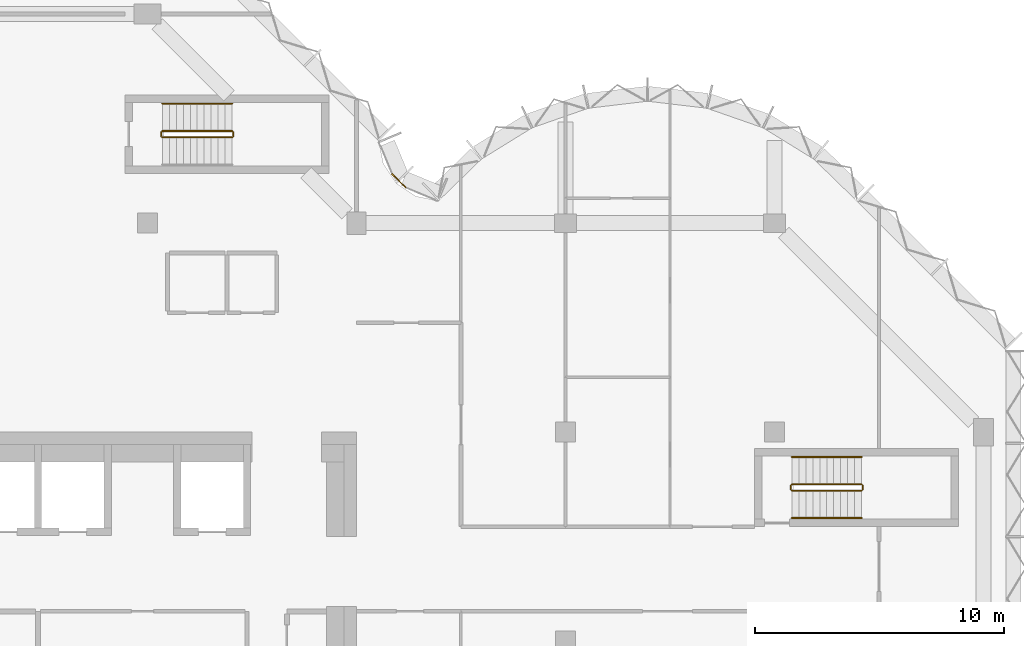
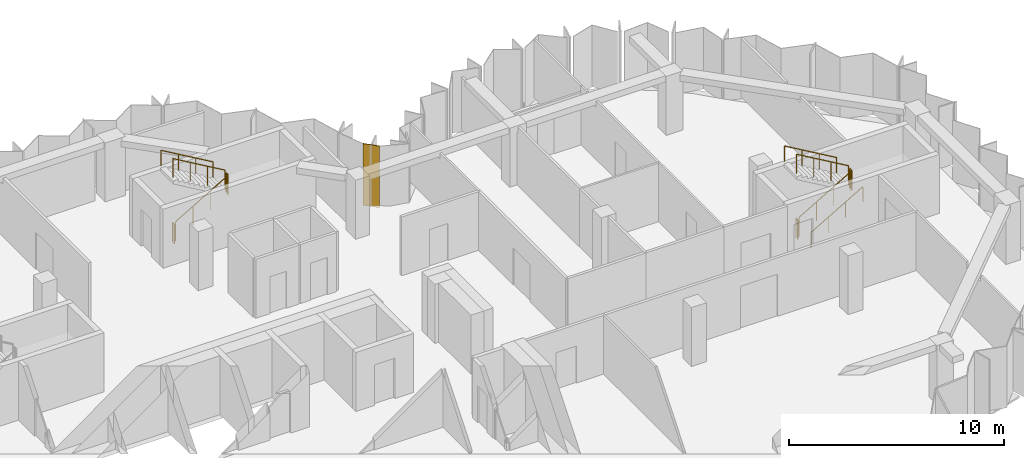
# One storey, part 9 of 9: 11 railings, 1 covering, 1 element without a shape of its own.
"""IFC4 building model written with IfcOpenShell, lengths in metres."""

from ifc_helpers import new_model, si_unit, direction, frame, origin, origin_2d, place, context, subcontext, project, spatial, polyline, circle, outline, extrude, material, layer, layer_set, type_object, element, aggregate, save


model = new_model("IFC4")

# Units and contexts
model_context = context("Model", 3, precision=1e-05, world=origin(), true_north=direction((0.0, 1.0)))
body_context = subcontext(model_context, "Body", "Model", "MODEL_VIEW")
ifc_project = project(units=[si_unit("LENGTHUNIT", "METRE"), si_unit("AREAUNIT", "SQUARE_METRE"), si_unit("VOLUMEUNIT", "CUBIC_METRE"), si_unit("PLANEANGLEUNIT", "RADIAN"), si_unit("MASSUNIT", "GRAM", prefix="KILO")], contexts=[model_context])

# Site, building, storey
site_placement = place(None, origin())
site = spatial("IfcSite", under=ifc_project, at=site_placement, CompositionType="ELEMENT")
building_placement = place(site_placement, origin())
building = spatial("IfcBuilding", under=site, at=building_placement, Name="Brevane Broadcast Tower", CompositionType="ELEMENT")
storey_placement = place(building_placement, frame((0.0, 0.0, 248.10009765625)))
storey = spatial("IfcBuildingStorey", under=building, at=storey_placement, Name="L63", CompositionType="ELEMENT", Elevation=248.10009765625)

# Railings
ifc_material_1 = material(Name="Steel S355", Category="steel")
railing_type_1 = type_object("IfcRailingType", Name="Exit stair guard", PredefinedType="GUARDRAIL", material=ifc_material_1)
railing_1_placement = place(storey_placement, frame((17.39990234375, 28.64990234375, 0.16357421875)))
element("IfcRailing", 1, at=railing_1_placement, inside=storey, type_object=railing_type_1, Name="L63 ST-3 stair guard 1", PredefinedType="GUARDRAIL", context=body_context, shape_type="SweptSolid", body=[
    extrude(circle(Radius=0.02392578125, at=origin_2d()), frame((0.0, 0.0, 1.076171875), z_axis=(0.863393664356, 0.0, 0.504530851732), x_axis=(0.0, 1.0, 0.0)), (0.0, 0.0, 1.0), 3.2431640625),
    extrude(circle(Radius=0.02099609375, at=origin_2d()), origin(), (0.0, 0.0, 1.0), 1.052001953125),
    extrude(circle(Radius=0.02099609375, at=origin_2d()), frame((0.933349609375, 0.0, 0.54541015625)), (0.0, 0.0, 1.0), 1.052001953125),
    extrude(circle(Radius=0.02099609375, at=origin_2d()), frame((1.86669921875, 0.0, 1.0908203125)), (0.0, 0.0, 1.0), 1.052001953125),
    extrude(circle(Radius=0.02099609375, at=origin_2d()), frame((2.800048828125, 0.0, 1.63623046875)), (0.0, 0.0, 1.0), 1.052001953125),
])
railing_2_placement = place(storey_placement, frame((20.25, 28.699951171875, 1.7998046875)))
element("IfcRailing", 2, at=railing_2_placement, inside=storey, type_object=railing_type_1, Name="L63 ST-3 stair guard 2", PredefinedType="GUARDRAIL", context=body_context, shape_type="SweptSolid", body=[
    extrude(circle(Radius=0.02392578125, at=origin_2d()), frame((0.0, 0.0, 1.076171875), z_axis=(0.0, 1.0, 0.0), x_axis=(-1.0, 0.0, 0.0)), (0.0, 0.0, 1.0), 0.150146484375),
    extrude(circle(Radius=0.02099609375, at=origin_2d()), origin(), (0.0, 0.0, 1.0), 1.052001953125),
    extrude(circle(Radius=0.02099609375, at=origin_2d()), frame((0.0, 0.150146484375, 0.0)), (0.0, 0.0, 1.0), 1.052001953125),
])
railing_3_placement = place(storey_placement, frame((20.199951171875, 28.89990234375, 1.963623046875)))
element("IfcRailing", 3, at=railing_3_placement, inside=storey, type_object=railing_type_1, Name="L63 ST-3 stair guard 3", PredefinedType="GUARDRAIL", context=body_context, shape_type="SweptSolid", body=[
    extrude(circle(Radius=0.02392578125, at=origin_2d()), frame((0.0, 0.0, 1.076171875), z_axis=(-0.863393664356, 0.0, 0.504530851732), x_axis=(0.0, -1.0, 0.0)), (0.0, 0.0, 1.0), 3.2431640625),
    extrude(circle(Radius=0.02099609375, at=origin_2d()), origin(), (0.0, 0.0, 1.0), 1.052001953125),
    extrude(circle(Radius=0.02099609375, at=origin_2d()), frame((-0.933349609375, 0.0, 0.54541015625)), (0.0, 0.0, 1.0), 1.052001953125),
    extrude(circle(Radius=0.02099609375, at=origin_2d()), frame((-1.86669921875, 0.0, 1.0908203125)), (0.0, 0.0, 1.0), 1.052001953125),
    extrude(circle(Radius=0.02099609375, at=origin_2d()), frame((-2.800048828125, 0.0, 1.63623046875)), (0.0, 0.0, 1.0), 1.052001953125),
])
railing_4_placement = place(storey_placement, frame((17.35009765625, 28.699951171875, 0.0)))
element("IfcRailing", 4, at=railing_4_placement, inside=storey, type_object=railing_type_1, Name="L63 ST-3 stair guard 4", PredefinedType="GUARDRAIL", context=body_context, shape_type="SweptSolid", body=[
    extrude(circle(Radius=0.02392578125, at=origin_2d()), frame((0.0, 0.0, 1.076171875), z_axis=(0.0, 1.0, 0.0), x_axis=(-1.0, 0.0, 0.0)), (0.0, 0.0, 1.0), 0.150146484375),
    extrude(circle(Radius=0.02099609375, at=origin_2d()), origin(), (0.0, 0.0, 1.0), 1.052001953125),
    extrude(circle(Radius=0.02099609375, at=origin_2d()), frame((0.0, 0.150146484375, 0.0)), (0.0, 0.0, 1.0), 1.052001953125),
])
railing_5_placement = place(storey_placement, frame((42.699951171875, 14.449951171875, 0.16357421875)))
element("IfcRailing", 5, at=railing_5_placement, inside=storey, type_object=railing_type_1, Name="L63 ST-4 stair guard 1", PredefinedType="GUARDRAIL", context=body_context, shape_type="SweptSolid", body=[
    extrude(circle(Radius=0.02392578125, at=origin_2d()), frame((0.0, 0.0, 1.076171875), z_axis=(0.863393664356, 0.0, 0.504530851732), x_axis=(0.0, 1.0, 0.0)), (0.0, 0.0, 1.0), 3.2431640625),
    extrude(circle(Radius=0.02099609375, at=origin_2d()), origin(), (0.0, 0.0, 1.0), 1.052001953125),
    extrude(circle(Radius=0.02099609375, at=origin_2d()), frame((0.933349609375, 0.0, 0.54541015625)), (0.0, 0.0, 1.0), 1.052001953125),
    extrude(circle(Radius=0.02099609375, at=origin_2d()), frame((1.86669921875, 0.0, 1.0908203125)), (0.0, 0.0, 1.0), 1.052001953125),
    extrude(circle(Radius=0.02099609375, at=origin_2d()), frame((2.800048828125, 0.0, 1.63623046875)), (0.0, 0.0, 1.0), 1.052001953125),
])
railing_6_placement = place(storey_placement, frame((45.550048828125, 14.5, 1.7998046875)))
element("IfcRailing", 6, at=railing_6_placement, inside=storey, type_object=railing_type_1, Name="L63 ST-4 stair guard 2", PredefinedType="GUARDRAIL", context=body_context, shape_type="SweptSolid", body=[
    extrude(circle(Radius=0.02392578125, at=origin_2d()), frame((0.0, 0.0, 1.076171875), z_axis=(0.0, 1.0, 0.0), x_axis=(-1.0, 0.0, 0.0)), (0.0, 0.0, 1.0), 0.14990234375),
    extrude(circle(Radius=0.02099609375, at=origin_2d()), origin(), (0.0, 0.0, 1.0), 1.052001953125),
    extrude(circle(Radius=0.02099609375, at=origin_2d()), frame((0.0, 0.14990234375, 0.0)), (0.0, 0.0, 1.0), 1.052001953125),
])
railing_7_placement = place(storey_placement, frame((45.5, 14.699951171875, 1.963623046875)))
element("IfcRailing", 7, at=railing_7_placement, inside=storey, type_object=railing_type_1, Name="L63 ST-4 stair guard 3", PredefinedType="GUARDRAIL", context=body_context, shape_type="SweptSolid", body=[
    extrude(circle(Radius=0.02392578125, at=origin_2d()), frame((0.0, 0.0, 1.076171875), z_axis=(-0.863393664356, 0.0, 0.504530851732), x_axis=(0.0, -1.0, 0.0)), (0.0, 0.0, 1.0), 3.2431640625),
    extrude(circle(Radius=0.02099609375, at=origin_2d()), origin(), (0.0, 0.0, 1.0), 1.052001953125),
    extrude(circle(Radius=0.02099609375, at=origin_2d()), frame((-0.933349609375, 0.0, 0.54541015625)), (0.0, 0.0, 1.0), 1.052001953125),
    extrude(circle(Radius=0.02099609375, at=origin_2d()), frame((-1.86669921875, 0.0, 1.0908203125)), (0.0, 0.0, 1.0), 1.052001953125),
    extrude(circle(Radius=0.02099609375, at=origin_2d()), frame((-2.800048828125, 0.0, 1.63623046875)), (0.0, 0.0, 1.0), 1.052001953125),
])
railing_8_placement = place(storey_placement, frame((42.64990234375, 14.5, 0.0)))
element("IfcRailing", 8, at=railing_8_placement, inside=storey, type_object=railing_type_1, Name="L63 ST-4 stair guard 4", PredefinedType="GUARDRAIL", context=body_context, shape_type="SweptSolid", body=[
    extrude(circle(Radius=0.02392578125, at=origin_2d()), frame((0.0, 0.0, 1.076171875), z_axis=(0.0, 1.0, 0.0), x_axis=(-1.0, 0.0, 0.0)), (0.0, 0.0, 1.0), 0.14990234375),
    extrude(circle(Radius=0.02099609375, at=origin_2d()), origin(), (0.0, 0.0, 1.0), 1.052001953125),
    extrude(circle(Radius=0.02099609375, at=origin_2d()), frame((0.0, 0.14990234375, 0.0)), (0.0, 0.0, 1.0), 1.052001953125),
])
railing_type_2 = type_object("IfcRailingType", Name="Exit stair handrail", PredefinedType="HANDRAIL", material=ifc_material_1)
railing_9_placement = place(storey_placement, frame((20.199951171875, 30.0, 1.963623046875)))
element("IfcRailing", 9, at=railing_9_placement, inside=storey, type_object=railing_type_2, Name="L63 ST-3 stair handrail 2", PredefinedType="HANDRAIL", context=body_context, shape_type="SweptSolid", body=[
    extrude(circle(Radius=0.02392578125, at=origin_2d()), frame((0.0, 0.0, 0.8759765625), z_axis=(-0.863393664356, 0.0, 0.504530851732), x_axis=(0.0, -1.0, 0.0)), (0.0, 0.0, 1.0), 3.2431640625),
    extrude(circle(Radius=0.02099609375, at=origin_2d()), origin(), (0.0, 0.0, 1.0), 0.851806640625),
    extrude(circle(Radius=0.02099609375, at=origin_2d()), frame((-0.933349609375, 0.0, 0.54541015625)), (0.0, 0.0, 1.0), 0.851806640625),
    extrude(circle(Radius=0.02099609375, at=origin_2d()), frame((-1.86669921875, 0.0, 1.0908203125)), (0.0, 0.0, 1.0), 0.851806640625),
    extrude(circle(Radius=0.02099609375, at=origin_2d()), frame((-2.800048828125, 0.0, 1.63623046875)), (0.0, 0.0, 1.0), 0.851806640625),
])
railing_10_placement = place(storey_placement, frame((42.699951171875, 13.35009765625, 0.16357421875)))
element("IfcRailing", 10, at=railing_10_placement, inside=storey, type_object=railing_type_2, Name="L63 ST-4 stair handrail 1", PredefinedType="HANDRAIL", context=body_context, shape_type="SweptSolid", body=[
    extrude(circle(Radius=0.02392578125, at=origin_2d()), frame((0.0, 0.0, 0.8759765625), z_axis=(0.863393664356, 0.0, 0.504530851732), x_axis=(0.0, 1.0, 0.0)), (0.0, 0.0, 1.0), 3.2431640625),
    extrude(circle(Radius=0.02099609375, at=origin_2d()), origin(), (0.0, 0.0, 1.0), 0.851806640625),
    extrude(circle(Radius=0.02099609375, at=origin_2d()), frame((0.933349609375, 0.0, 0.54541015625)), (0.0, 0.0, 1.0), 0.851806640625),
    extrude(circle(Radius=0.02099609375, at=origin_2d()), frame((1.86669921875, 0.0, 1.0908203125)), (0.0, 0.0, 1.0), 0.851806640625),
    extrude(circle(Radius=0.02099609375, at=origin_2d()), frame((2.800048828125, 0.0, 1.63623046875)), (0.0, 0.0, 1.0), 0.851806640625),
])
railing_11_placement = place(storey_placement, frame((45.5, 15.800048828125, 1.963623046875)))
element("IfcRailing", 11, at=railing_11_placement, inside=storey, type_object=railing_type_2, Name="L63 ST-4 stair handrail 2", PredefinedType="HANDRAIL", context=body_context, shape_type="SweptSolid", body=[
    extrude(circle(Radius=0.02392578125, at=origin_2d()), frame((0.0, 0.0, 0.8759765625), z_axis=(-0.863393664356, 0.0, 0.504530851732), x_axis=(0.0, -1.0, 0.0)), (0.0, 0.0, 1.0), 3.2431640625),
    extrude(circle(Radius=0.02099609375, at=origin_2d()), origin(), (0.0, 0.0, 1.0), 0.851806640625),
    extrude(circle(Radius=0.02099609375, at=origin_2d()), frame((-0.933349609375, 0.0, 0.54541015625)), (0.0, 0.0, 1.0), 0.851806640625),
    extrude(circle(Radius=0.02099609375, at=origin_2d()), frame((-1.86669921875, 0.0, 1.0908203125)), (0.0, 0.0, 1.0), 0.851806640625),
    extrude(circle(Radius=0.02099609375, at=origin_2d()), frame((-2.800048828125, 0.0, 1.63623046875)), (0.0, 0.0, 1.0), 0.851806640625),
])

# Curtain wall, covering
ifc_material_2 = material(Name="Aluminium 6063-T6 bronze anodised", Category="aluminium")
curtain_wall_type = type_object("IfcCurtainWallType", Name="CW-1 curtain wall", PredefinedType="NOTDEFINED", material=ifc_material_2)
curtain_wall_placement = place(storey_placement, origin())
curtain_wall = element("IfcCurtainWall", 12, at=curtain_wall_placement, inside=storey, type_object=curtain_wall_type, Name="CW-1 typical tilted unit L63 inner corner", PredefinedType="NOTDEFINED")
ifc_material_3 = material(Name="Back-painted bronze glass shadow-box", Category="glass")
ifc_layer = layer(ifc_material_3, 0.0400390625)
ifc_layer_set = layer_set([ifc_layer], Name="Shadow-box panel 40")
covering_type = type_object("IfcCoveringType", Name="Shadow-box panel 40", PredefinedType="CLADDING", material=ifc_layer_set)
covering_placement = place(storey_placement, frame((0.0, 0.0, -0.150146484375)))
covering = element("IfcCovering", 13, at=covering_placement, type_object=covering_type, Name="Closure panel", PredefinedType="CLADDING", context=body_context, shape_type="SweptSolid", body=[
    extrude(outline(polyline([(27.17138671875, 26.60498046875), (27.2021484375, 26.635498046875), (26.635498046875, 27.2021484375), (26.60498046875, 27.17138671875), (27.17138671875, 26.60498046875)])), origin(), (0.0, 0.0, 1.0), 3.5),
])
aggregate(curtain_wall, [covering])

save(model, "model.ifc")
